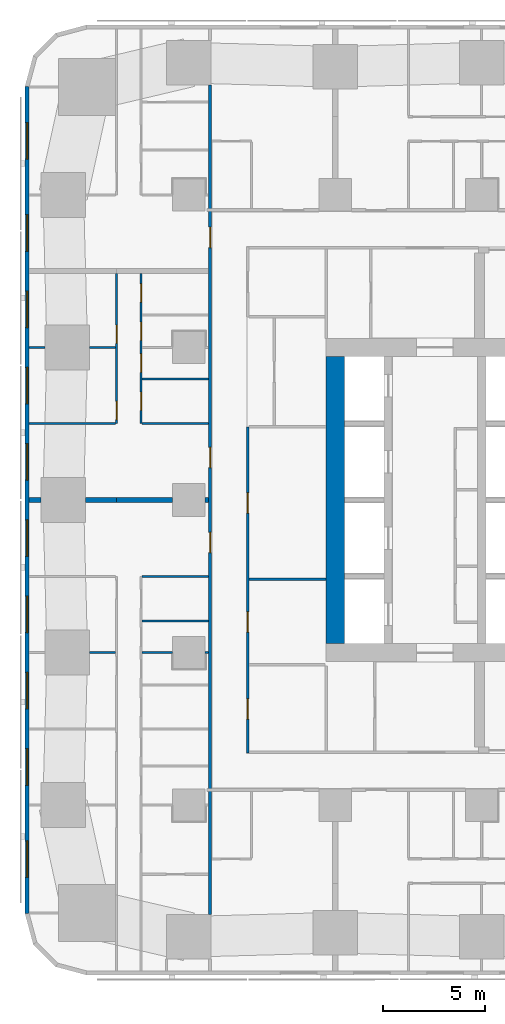
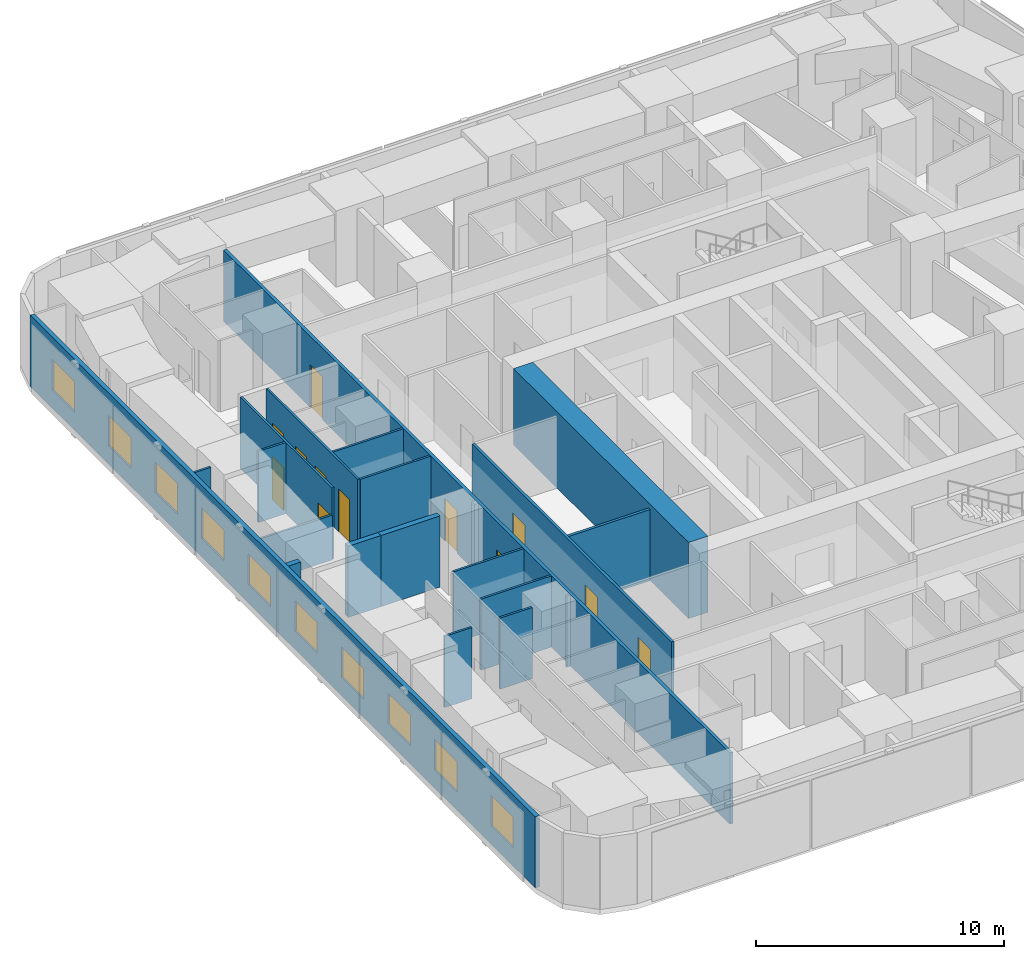
# One storey, part 4 of 15: 21 walls, 12 doors, 10 windows, 22 openings.
"""IFC4 building model written with IfcOpenShell, lengths in metres."""

from ifc_helpers import new_model, si_unit, direction, frame, frame_2d, origin, place, context, subcontext, project, spatial, rectangle, extrude, material, layer, layer_set, type_object, element, fill, save


model = new_model("IFC4")

# Units and contexts
model_context = context("Model", 3, precision=1e-05, world=origin(), true_north=direction((0.0, 1.0)))
body_context = subcontext(model_context, "Body", "Model", "MODEL_VIEW")
ifc_project = project(units=[si_unit("LENGTHUNIT", "METRE"), si_unit("AREAUNIT", "SQUARE_METRE"), si_unit("VOLUMEUNIT", "CUBIC_METRE"), si_unit("PLANEANGLEUNIT", "RADIAN"), si_unit("MASSUNIT", "GRAM", prefix="KILO")], contexts=[model_context])

# Site, building, storey
site_placement = place(None, origin())
site = spatial("IfcSite", under=ifc_project, at=site_placement, CompositionType="ELEMENT")
building_placement = place(site_placement, origin())
building = spatial("IfcBuilding", under=site, at=building_placement, Name="Sheger Commons Tower", CompositionType="ELEMENT")
storey_placement = place(building_placement, frame((0.0, 0.0, 85.39990234375)))
storey = spatial("IfcBuildingStorey", under=building, at=storey_placement, Name="L21", CompositionType="ELEMENT", Elevation=85.39990234375)

# Wall
ifc_material_1 = material(Name="Concrete C50/60", Category="concrete")
ifc_layer_1 = layer(ifc_material_1, 0.89990234375)
ifc_layer_set_1 = layer_set([ifc_layer_1], Name="CORE WALL 900")
wall_type_1 = type_object("IfcWallType", Name="CORE WALL 900", PredefinedType="SHEAR", material=ifc_layer_set_1)
wall_1_placement = place(storey_placement, frame((14.39990234375, 15.449951171875, 0.0), z_axis=(0.0, 0.0, 1.0), x_axis=(0.0, 1.0, 0.0)))
element("IfcWall", 1, at=wall_1_placement, inside=storey, type_object=wall_type_1, Name="Core wall west L21", PredefinedType="SHEAR", context=body_context, shape_type="SweptSolid", body=[
    extrude(rectangle(XDim=14.10009765625, YDim=0.89990234375, at=frame_2d((7.050048828125, 0.0))), origin(), (0.0, 0.0, 1.0), 3.75),
])

# Wall, openings, doors
ifc_material_2 = material(Name="Hollow concrete block masonry, skimmed both sides", Category="masonry")
ifc_layer_2 = layer(ifc_material_2, 0.14990234375)
ifc_layer_set_2 = layer_set([ifc_layer_2], Name="CORRIDOR WALL 150")
wall_type_2 = type_object("IfcWallType", Name="CORRIDOR WALL 150", PredefinedType="SOLIDWALL", material=ifc_layer_set_2)
wall_2_placement = place(storey_placement, frame((8.25, 2.1259765625, 0.0), z_axis=(0.0, 0.0, 1.0), x_axis=(0.0, 1.0, 0.0)))
wall_2 = element("IfcWall", 2, at=wall_2_placement, inside=storey, type_object=wall_type_2, Name="Corridor wall L21", PredefinedType="SOLIDWALL", context=body_context, shape_type="SweptSolid", body=[
    extrude(rectangle(XDim=40.77294921875, YDim=0.14990234375, at=frame_2d((20.386474609375, 0.0))), origin(), (0.0, 0.0, 1.0), 3.5),
])
opening_1_placement = place(wall_2_placement, frame((17.787109375, 0.0, 0.0)))
opening_1 = element("IfcOpeningElement", 3, at=opening_1_placement, cuts=wall_2, Name="Opening D1", PredefinedType="OPENING", context=body_context, shape_type="SweptSolid", body=[
    extrude(rectangle(XDim=1.0, YDim=2.10009765625, at=frame_2d((0.5, 1.050048828125))), frame((0.0, 0.0849609375, 0.0), z_axis=(0.0, -1.0, 0.0), x_axis=(1.0, 0.0, 0.0)), (0.0, 0.0, 1.0), 0.169921875),
])
opening_2_placement = place(wall_2_placement, frame((21.9619140625, 0.0, 0.0)))
opening_2 = element("IfcOpeningElement", 4, at=opening_2_placement, cuts=wall_2, Name="Opening D1", PredefinedType="OPENING", context=body_context, shape_type="SweptSolid", body=[
    extrude(rectangle(XDim=1.0, YDim=2.10009765625, at=frame_2d((0.5, 1.050048828125))), frame((0.0, 0.0849609375, 0.0), z_axis=(0.0, -1.0, 0.0), x_axis=(1.0, 0.0, 0.0)), (0.0, 0.0, 1.0), 0.169921875),
])
opening_3_placement = place(wall_2_placement, frame((32.787109375, 0.0, 0.0)))
opening_3 = element("IfcOpeningElement", 5, at=opening_3_placement, cuts=wall_2, Name="Opening D1", PredefinedType="OPENING", context=body_context, shape_type="SweptSolid", body=[
    extrude(rectangle(XDim=1.0, YDim=2.10009765625, at=frame_2d((0.5, 1.050048828125))), frame((0.0, 0.0849609375, 0.0), z_axis=(0.0, -1.0, 0.0), x_axis=(1.0, 0.0, 0.0)), (0.0, 0.0, 1.0), 0.169921875),
])
ifc_material_3 = material(Name="Steel door set, fire rated", Category="steel")
door_type_1 = type_object("IfcDoorType", Name="FLAT ENTRANCE DOOR 1000x2100", OperationType="NOTDEFINED", PredefinedType="DOOR", material=ifc_material_3)
door_1_placement = place(opening_1_placement, origin())
door_1 = element("IfcDoor", 6, at=door_1_placement, inside=storey, type_object=door_type_1, Name="Flat entrance door", OperationType="SINGLE_SWING_LEFT", OverallHeight=2.10009765625, OverallWidth=1.0, PredefinedType="DOOR", context=body_context, shape_type="SweptSolid", body=[
    extrude(rectangle(XDim=1.0, YDim=2.10009765625, at=frame_2d((0.5, 1.050048828125))), frame((0.0, 0.02490234375, 0.0), z_axis=(0.0, -1.0, 0.0), x_axis=(1.0, 0.0, 0.0)), (0.0, 0.0, 1.0), 0.050048828125),
])
fill(opening_1, door_1)
door_2_placement = place(opening_2_placement, origin())
door_2 = element("IfcDoor", 7, at=door_2_placement, inside=storey, type_object=door_type_1, Name="Flat entrance door", OperationType="SINGLE_SWING_RIGHT", OverallHeight=2.10009765625, OverallWidth=1.0, PredefinedType="DOOR", context=body_context, shape_type="SweptSolid", body=[
    extrude(rectangle(XDim=1.0, YDim=2.10009765625, at=frame_2d((0.5, 1.050048828125))), frame((0.0, 0.02490234375, 0.0), z_axis=(0.0, -1.0, 0.0), x_axis=(1.0, 0.0, 0.0)), (0.0, 0.0, 1.0), 0.050048828125),
])
fill(opening_2, door_2)
door_3_placement = place(opening_3_placement, origin())
door_3 = element("IfcDoor", 8, at=door_3_placement, inside=storey, type_object=door_type_1, Name="Flat entrance door", OperationType="SINGLE_SWING_LEFT", OverallHeight=2.10009765625, OverallWidth=1.0, PredefinedType="DOOR", context=body_context, shape_type="SweptSolid", body=[
    extrude(rectangle(XDim=1.0, YDim=2.10009765625, at=frame_2d((0.5, 1.050048828125))), frame((0.0, 0.02490234375, 0.0), z_axis=(0.0, -1.0, 0.0), x_axis=(1.0, 0.0, 0.0)), (0.0, 0.0, 1.0), 0.050048828125),
])
fill(opening_3, door_3)

# Walls
ifc_material_4 = material(Name="Dense concrete block masonry, plastered both sides (separating wall between flats)", Category="masonry")
ifc_layer_3 = layer(ifc_material_4, 0.25)
ifc_layer_set_3 = layer_set([ifc_layer_3], Name="DEMISING WALL 250")
wall_type_3 = type_object("IfcWallType", Name="DEMISING WALL 250", PredefinedType="SOLIDWALL", material=ifc_layer_set_3)
wall_3_placement = place(storey_placement, frame((-0.64990234375, 22.5, 0.0), z_axis=(0.0, 0.0, 1.0), x_axis=(1.0, 0.0, 0.0)))
element("IfcWall", 9, at=wall_3_placement, inside=storey, type_object=wall_type_3, Name="Demising wall L21", PredefinedType="SOLIDWALL", context=body_context, shape_type="SweptSolid", body=[
    extrude(rectangle(XDim=0.573974609375, YDim=0.25, at=frame_2d((0.287109375, 0.0))), origin(), (0.0, 0.0, 1.0), 3.5),
])
wall_4_placement = place(storey_placement, frame((2.1259765625, 22.5, 0.0), z_axis=(0.0, 0.0, 1.0), x_axis=(1.0, 0.0, 0.0)))
element("IfcWall", 10, at=wall_4_placement, inside=storey, type_object=wall_type_3, Name="Demising wall L21", PredefinedType="SOLIDWALL", context=body_context, shape_type="SweptSolid", body=[
    extrude(rectangle(XDim=1.52392578125, YDim=0.25, at=frame_2d((0.761962890625, 0.0))), origin(), (0.0, 0.0, 1.0), 3.5),
])
wall_5_placement = place(storey_placement, frame((3.64990234375, 22.5, 0.0), z_axis=(0.0, 0.0, 1.0), x_axis=(1.0, 0.0, 0.0)))
element("IfcWall", 11, at=wall_5_placement, inside=storey, type_object=wall_type_3, Name="Demising wall L21", PredefinedType="SOLIDWALL", context=body_context, shape_type="SweptSolid", body=[
    extrude(rectangle(XDim=2.7490234375, YDim=0.25, at=frame_2d((1.37451171875, 0.0))), origin(), (0.0, 0.0, 1.0), 3.5),
])
wall_6_placement = place(storey_placement, frame((8.0009765625, 22.5, 0.0), z_axis=(0.0, 0.0, 1.0), x_axis=(1.0, 0.0, 0.0)))
element("IfcWall", 12, at=wall_6_placement, inside=storey, type_object=wall_type_3, Name="Demising wall L21", PredefinedType="SOLIDWALL", context=body_context, shape_type="SweptSolid", body=[
    extrude(rectangle(XDim=0.174072265625, YDim=0.25, at=frame_2d((0.0869140625, 0.0))), origin(), (0.0, 0.0, 1.0), 3.5),
])

# Wall, openings, windows
ifc_material_5 = material(Name="Rendered concrete block masonry, dark grey", Category="masonry")
ifc_layer_4 = layer(ifc_material_5, 0.199951171875)
ifc_layer_set_4 = layer_set([ifc_layer_4], Name="FACADE WALL 200")
wall_type_4 = type_object("IfcWallType", Name="FACADE WALL 200", PredefinedType="SOLIDWALL", material=ifc_layer_set_4)
wall_7_placement = place(storey_placement, frame((-0.75, 42.8369140625, 0.0), z_axis=(0.0, 0.0, 1.0), x_axis=(0.0, -1.0, 0.0)))
wall_7 = element("IfcWall", 13, at=wall_7_placement, inside=storey, type_object=wall_type_4, Name="Facade wall L21", PredefinedType="SOLIDWALL", context=body_context, shape_type="SweptSolid", body=[
    extrude(rectangle(XDim=40.673828125, YDim=0.199951171875, at=frame_2d((20.3369140625, 0.0))), origin(), (0.0, 0.0, 1.0), 3.5),
])
opening_4_placement = place(wall_7_placement, frame((1.780029296875, 0.0, 0.89990234375)))
opening_4 = element("IfcOpeningElement", 14, at=opening_4_placement, cuts=wall_7, Name="Opening W2", PredefinedType="OPENING", context=body_context, shape_type="SweptSolid", body=[
    extrude(rectangle(XDim=1.800048828125, YDim=1.5, at=frame_2d((0.89990234375, 0.75))), frame((0.0, 0.10986328125, 0.0), z_axis=(0.0, -1.0, 0.0), x_axis=(1.0, 0.0, 0.0)), (0.0, 0.0, 1.0), 0.219970703125),
])
opening_5_placement = place(wall_7_placement, frame((6.31201171875, 0.0, 0.89990234375)))
opening_5 = element("IfcOpeningElement", 15, at=opening_5_placement, cuts=wall_7, Name="Opening W2", PredefinedType="OPENING", context=body_context, shape_type="SweptSolid", body=[
    extrude(rectangle(XDim=1.800048828125, YDim=1.5, at=frame_2d((0.89990234375, 0.75))), frame((0.0, 0.10986328125, 0.0), z_axis=(0.0, -1.0, 0.0), x_axis=(1.0, 0.0, 0.0)), (0.0, 0.0, 1.0), 0.219970703125),
])
opening_6_placement = place(wall_7_placement, frame((10.06201171875, 0.0, 0.89990234375)))
opening_6 = element("IfcOpeningElement", 16, at=opening_6_placement, cuts=wall_7, Name="Opening W2", PredefinedType="OPENING", context=body_context, shape_type="SweptSolid", body=[
    extrude(rectangle(XDim=1.800048828125, YDim=1.5, at=frame_2d((0.89990234375, 0.75))), frame((0.0, 0.10986328125, 0.0), z_axis=(0.0, -1.0, 0.0), x_axis=(1.0, 0.0, 0.0)), (0.0, 0.0, 1.0), 0.219970703125),
])
opening_7_placement = place(wall_7_placement, frame((13.81201171875, 0.0, 0.89990234375)))
opening_7 = element("IfcOpeningElement", 17, at=opening_7_placement, cuts=wall_7, Name="Opening W2", PredefinedType="OPENING", context=body_context, shape_type="SweptSolid", body=[
    extrude(rectangle(XDim=1.800048828125, YDim=1.5, at=frame_2d((0.89990234375, 0.75))), frame((0.0, 0.10986328125, 0.0), z_axis=(0.0, -1.0, 0.0), x_axis=(1.0, 0.0, 0.0)), (0.0, 0.0, 1.0), 0.219970703125),
])
opening_8_placement = place(wall_7_placement, frame((17.56201171875, 0.0, 0.89990234375)))
opening_8 = element("IfcOpeningElement", 18, at=opening_8_placement, cuts=wall_7, Name="Opening W2", PredefinedType="OPENING", context=body_context, shape_type="SweptSolid", body=[
    extrude(rectangle(XDim=1.800048828125, YDim=1.5, at=frame_2d((0.89990234375, 0.75))), frame((0.0, 0.10986328125, 0.0), z_axis=(0.0, -1.0, 0.0), x_axis=(1.0, 0.0, 0.0)), (0.0, 0.0, 1.0), 0.219970703125),
])
opening_9_placement = place(wall_7_placement, frame((21.31201171875, 0.0, 0.89990234375)))
opening_9 = element("IfcOpeningElement", 19, at=opening_9_placement, cuts=wall_7, Name="Opening W2", PredefinedType="OPENING", context=body_context, shape_type="SweptSolid", body=[
    extrude(rectangle(XDim=1.800048828125, YDim=1.5, at=frame_2d((0.89990234375, 0.75))), frame((0.0, 0.10986328125, 0.0), z_axis=(0.0, -1.0, 0.0), x_axis=(1.0, 0.0, 0.0)), (0.0, 0.0, 1.0), 0.219970703125),
])
opening_10_placement = place(wall_7_placement, frame((25.06201171875, 0.0, 0.89990234375)))
opening_10 = element("IfcOpeningElement", 20, at=opening_10_placement, cuts=wall_7, Name="Opening W2", PredefinedType="OPENING", context=body_context, shape_type="SweptSolid", body=[
    extrude(rectangle(XDim=1.800048828125, YDim=1.5, at=frame_2d((0.89990234375, 0.75))), frame((0.0, 0.10986328125, 0.0), z_axis=(0.0, -1.0, 0.0), x_axis=(1.0, 0.0, 0.0)), (0.0, 0.0, 1.0), 0.219970703125),
])
opening_11_placement = place(wall_7_placement, frame((28.81201171875, 0.0, 0.89990234375)))
opening_11 = element("IfcOpeningElement", 21, at=opening_11_placement, cuts=wall_7, Name="Opening W2", PredefinedType="OPENING", context=body_context, shape_type="SweptSolid", body=[
    extrude(rectangle(XDim=1.800048828125, YDim=1.5, at=frame_2d((0.89990234375, 0.75))), frame((0.0, 0.10986328125, 0.0), z_axis=(0.0, -1.0, 0.0), x_axis=(1.0, 0.0, 0.0)), (0.0, 0.0, 1.0), 0.219970703125),
])
opening_12_placement = place(wall_7_placement, frame((32.56201171875, 0.0, 0.89990234375)))
opening_12 = element("IfcOpeningElement", 22, at=opening_12_placement, cuts=wall_7, Name="Opening W2", PredefinedType="OPENING", context=body_context, shape_type="SweptSolid", body=[
    extrude(rectangle(XDim=1.800048828125, YDim=1.5, at=frame_2d((0.89990234375, 0.75))), frame((0.0, 0.10986328125, 0.0), z_axis=(0.0, -1.0, 0.0), x_axis=(1.0, 0.0, 0.0)), (0.0, 0.0, 1.0), 0.219970703125),
])
opening_13_placement = place(wall_7_placement, frame((37.093994140625, 0.0, 0.89990234375)))
opening_13 = element("IfcOpeningElement", 23, at=opening_13_placement, cuts=wall_7, Name="Opening W2", PredefinedType="OPENING", context=body_context, shape_type="SweptSolid", body=[
    extrude(rectangle(XDim=1.800048828125, YDim=1.5, at=frame_2d((0.89990234375, 0.75))), frame((0.0, 0.10986328125, 0.0), z_axis=(0.0, -1.0, 0.0), x_axis=(1.0, 0.0, 0.0)), (0.0, 0.0, 1.0), 0.219970703125),
])
ifc_material_6 = material(Name="Black aluminium frame, dark tinted double glazing", Category="aluminium")
window_type = type_object("IfcWindowType", Name="WINDOW W2 1800x1500", PartitioningType="SINGLE_PANEL", PredefinedType="WINDOW", material=ifc_material_6)
window_1_placement = place(opening_4_placement, origin())
window_1 = element("IfcWindow", 24, at=window_1_placement, inside=storey, type_object=window_type, Name="Window W2 1800X1500", OverallHeight=1.5, OverallWidth=1.800048828125, PartitioningType="SINGLE_PANEL", PredefinedType="WINDOW", context=body_context, shape_type="SweptSolid", body=[
    extrude(rectangle(XDim=1.800048828125, YDim=1.5, at=frame_2d((0.89990234375, 0.75))), frame((0.0, 0.030029296875, 0.0), z_axis=(0.0, -1.0, 0.0), x_axis=(1.0, 0.0, 0.0)), (0.0, 0.0, 1.0), 0.06005859375),
])
fill(opening_4, window_1)
window_2_placement = place(opening_5_placement, origin())
window_2 = element("IfcWindow", 25, at=window_2_placement, inside=storey, type_object=window_type, Name="Window W2 1800X1500", OverallHeight=1.5, OverallWidth=1.800048828125, PartitioningType="SINGLE_PANEL", PredefinedType="WINDOW", context=body_context, shape_type="SweptSolid", body=[
    extrude(rectangle(XDim=1.800048828125, YDim=1.5, at=frame_2d((0.89990234375, 0.75))), frame((0.0, 0.030029296875, 0.0), z_axis=(0.0, -1.0, 0.0), x_axis=(1.0, 0.0, 0.0)), (0.0, 0.0, 1.0), 0.06005859375),
])
fill(opening_5, window_2)
window_3_placement = place(opening_6_placement, origin())
window_3 = element("IfcWindow", 26, at=window_3_placement, inside=storey, type_object=window_type, Name="Window W2 1800X1500", OverallHeight=1.5, OverallWidth=1.800048828125, PartitioningType="SINGLE_PANEL", PredefinedType="WINDOW", context=body_context, shape_type="SweptSolid", body=[
    extrude(rectangle(XDim=1.800048828125, YDim=1.5, at=frame_2d((0.89990234375, 0.75))), frame((0.0, 0.030029296875, 0.0), z_axis=(0.0, -1.0, 0.0), x_axis=(1.0, 0.0, 0.0)), (0.0, 0.0, 1.0), 0.06005859375),
])
fill(opening_6, window_3)
window_4_placement = place(opening_7_placement, origin())
window_4 = element("IfcWindow", 27, at=window_4_placement, inside=storey, type_object=window_type, Name="Window W2 1800X1500", OverallHeight=1.5, OverallWidth=1.800048828125, PartitioningType="SINGLE_PANEL", PredefinedType="WINDOW", context=body_context, shape_type="SweptSolid", body=[
    extrude(rectangle(XDim=1.800048828125, YDim=1.5, at=frame_2d((0.89990234375, 0.75))), frame((0.0, 0.030029296875, 0.0), z_axis=(0.0, -1.0, 0.0), x_axis=(1.0, 0.0, 0.0)), (0.0, 0.0, 1.0), 0.06005859375),
])
fill(opening_7, window_4)
window_5_placement = place(opening_8_placement, origin())
window_5 = element("IfcWindow", 28, at=window_5_placement, inside=storey, type_object=window_type, Name="Window W2 1800X1500", OverallHeight=1.5, OverallWidth=1.800048828125, PartitioningType="SINGLE_PANEL", PredefinedType="WINDOW", context=body_context, shape_type="SweptSolid", body=[
    extrude(rectangle(XDim=1.800048828125, YDim=1.5, at=frame_2d((0.89990234375, 0.75))), frame((0.0, 0.030029296875, 0.0), z_axis=(0.0, -1.0, 0.0), x_axis=(1.0, 0.0, 0.0)), (0.0, 0.0, 1.0), 0.06005859375),
])
fill(opening_8, window_5)
window_6_placement = place(opening_9_placement, origin())
window_6 = element("IfcWindow", 29, at=window_6_placement, inside=storey, type_object=window_type, Name="Window W2 1800X1500", OverallHeight=1.5, OverallWidth=1.800048828125, PartitioningType="SINGLE_PANEL", PredefinedType="WINDOW", context=body_context, shape_type="SweptSolid", body=[
    extrude(rectangle(XDim=1.800048828125, YDim=1.5, at=frame_2d((0.89990234375, 0.75))), frame((0.0, 0.030029296875, 0.0), z_axis=(0.0, -1.0, 0.0), x_axis=(1.0, 0.0, 0.0)), (0.0, 0.0, 1.0), 0.06005859375),
])
fill(opening_9, window_6)
window_7_placement = place(opening_10_placement, origin())
window_7 = element("IfcWindow", 30, at=window_7_placement, inside=storey, type_object=window_type, Name="Window W2 1800X1500", OverallHeight=1.5, OverallWidth=1.800048828125, PartitioningType="SINGLE_PANEL", PredefinedType="WINDOW", context=body_context, shape_type="SweptSolid", body=[
    extrude(rectangle(XDim=1.800048828125, YDim=1.5, at=frame_2d((0.89990234375, 0.75))), frame((0.0, 0.030029296875, 0.0), z_axis=(0.0, -1.0, 0.0), x_axis=(1.0, 0.0, 0.0)), (0.0, 0.0, 1.0), 0.06005859375),
])
fill(opening_10, window_7)
window_8_placement = place(opening_11_placement, origin())
window_8 = element("IfcWindow", 31, at=window_8_placement, inside=storey, type_object=window_type, Name="Window W2 1800X1500", OverallHeight=1.5, OverallWidth=1.800048828125, PartitioningType="SINGLE_PANEL", PredefinedType="WINDOW", context=body_context, shape_type="SweptSolid", body=[
    extrude(rectangle(XDim=1.800048828125, YDim=1.5, at=frame_2d((0.89990234375, 0.75))), frame((0.0, 0.030029296875, 0.0), z_axis=(0.0, -1.0, 0.0), x_axis=(1.0, 0.0, 0.0)), (0.0, 0.0, 1.0), 0.06005859375),
])
fill(opening_11, window_8)
window_9_placement = place(opening_12_placement, origin())
window_9 = element("IfcWindow", 32, at=window_9_placement, inside=storey, type_object=window_type, Name="Window W2 1800X1500", OverallHeight=1.5, OverallWidth=1.800048828125, PartitioningType="SINGLE_PANEL", PredefinedType="WINDOW", context=body_context, shape_type="SweptSolid", body=[
    extrude(rectangle(XDim=1.800048828125, YDim=1.5, at=frame_2d((0.89990234375, 0.75))), frame((0.0, 0.030029296875, 0.0), z_axis=(0.0, -1.0, 0.0), x_axis=(1.0, 0.0, 0.0)), (0.0, 0.0, 1.0), 0.06005859375),
])
fill(opening_12, window_9)
window_10_placement = place(opening_13_placement, origin())
window_10 = element("IfcWindow", 33, at=window_10_placement, inside=storey, type_object=window_type, Name="Window W2 1800X1500", OverallHeight=1.5, OverallWidth=1.800048828125, PartitioningType="SINGLE_PANEL", PredefinedType="WINDOW", context=body_context, shape_type="SweptSolid", body=[
    extrude(rectangle(XDim=1.800048828125, YDim=1.5, at=frame_2d((0.89990234375, 0.75))), frame((0.0, 0.030029296875, 0.0), z_axis=(0.0, -1.0, 0.0), x_axis=(1.0, 0.0, 0.0)), (0.0, 0.0, 1.0), 0.06005859375),
])
fill(opening_13, window_10)

# Walls
ifc_material_7 = material(Name="Gypsum board on steel studs", Category="steel")
ifc_layer_5 = layer(ifc_material_7, 0.10009765625)
ifc_layer_set_5 = layer_set([ifc_layer_5], Name="PARTITION 100")
wall_type_5 = type_object("IfcWallType", Name="PARTITION 100", PredefinedType="PARTITIONING", material=ifc_layer_set_5)
wall_8_placement = place(storey_placement, frame((2.325927734375, 15.0, 0.0), z_axis=(0.0, 0.0, 1.0), x_axis=(1.0, 0.0, 0.0)))
element("IfcWall", 34, at=wall_8_placement, inside=storey, type_object=wall_type_5, Name="Partition L21", PredefinedType="PARTITIONING", context=body_context, shape_type="SweptSolid", body=[
    extrude(rectangle(XDim=1.274169921875, YDim=0.10009765625, at=frame_2d((0.63720703125, 0.0))), origin(), (0.0, 0.0, 1.0), 3.5),
])
wall_9_placement = place(storey_placement, frame((4.89990234375, 15.0, 0.0), z_axis=(0.0, 0.0, 1.0), x_axis=(1.0, 0.0, 0.0)))
element("IfcWall", 35, at=wall_9_placement, inside=storey, type_object=wall_type_5, Name="Partition L21", PredefinedType="PARTITIONING", context=body_context, shape_type="SweptSolid", body=[
    extrude(rectangle(XDim=1.4990234375, YDim=0.10009765625, at=frame_2d((0.74951171875, 0.0))), origin(), (0.0, 0.0, 1.0), 3.5),
])
wall_10_placement = place(storey_placement, frame((8.0009765625, 15.0, 0.0), z_axis=(0.0, 0.0, 1.0), x_axis=(1.0, 0.0, 0.0)))
element("IfcWall", 36, at=wall_10_placement, inside=storey, type_object=wall_type_5, Name="Partition L21", PredefinedType="PARTITIONING", context=body_context, shape_type="SweptSolid", body=[
    extrude(rectangle(XDim=0.174072265625, YDim=0.10009765625, at=frame_2d((0.0869140625, 0.0))), origin(), (0.0, 0.0, 1.0), 3.5),
])
for number, where, z_axis, x_axis, name in (
    (37, (4.89990234375, 18.75, 0.0), (0.0, 0.0, 1.0), (1.0, 0.0, 0.0), "Partition L21"),
    (38, (4.89990234375, 16.5400390625, 0.0), (0.0, 0.0, 1.0), (1.0, 0.0, 0.0), "Partition L21"),
):
    element("IfcWall", number, at=place(storey_placement, frame(where, z_axis=z_axis, x_axis=x_axis)), inside=storey, type_object=wall_type_5, Name=name, PredefinedType="PARTITIONING", context=body_context, shape_type="SweptSolid", body=[
        extrude(rectangle(XDim=3.275146484375, YDim=0.10009765625, at=frame_2d((1.6376953125, 0.0))), origin(), (0.0, 0.0, 1.0), 3.5),
    ])

# Wall, openings, doors
wall_11_placement = place(storey_placement, frame((3.64990234375, 26.25, 0.0), z_axis=(0.0, 0.0, 1.0), x_axis=(0.0, 1.0, 0.0)))
wall_11 = element("IfcWall", 39, at=wall_11_placement, inside=storey, type_object=wall_type_5, Name="Partition L21", PredefinedType="PARTITIONING", context=body_context, shape_type="SweptSolid", body=[
    extrude(rectangle(XDim=7.375, YDim=0.10009765625, at=frame_2d((3.6875, 0.0))), origin(), (0.0, 0.0, 1.0), 3.5),
])
opening_14_placement = place(wall_11_placement, frame((0.199951171875, 0.0, 0.0)))
opening_14 = element("IfcOpeningElement", 40, at=opening_14_placement, cuts=wall_11, Name="Opening D2", PredefinedType="OPENING", context=body_context, shape_type="SweptSolid", body=[
    extrude(rectangle(XDim=0.89990234375, YDim=2.10009765625, at=frame_2d((0.449951171875, 1.050048828125))), frame((0.0, 0.06005859375, 0.0), z_axis=(0.0, -1.0, 0.0), x_axis=(1.0, 0.0, 0.0)), (0.0, 0.0, 1.0), 0.1201171875),
])
opening_15_placement = place(wall_11_placement, frame((3.949951171875, 0.0, 0.0)))
opening_15 = element("IfcOpeningElement", 41, at=opening_15_placement, cuts=wall_11, Name="Opening D2", PredefinedType="OPENING", context=body_context, shape_type="SweptSolid", body=[
    extrude(rectangle(XDim=0.89990234375, YDim=2.10009765625, at=frame_2d((0.449951171875, 1.050048828125))), frame((0.0, 0.06005859375, 0.0), z_axis=(0.0, -1.0, 0.0), x_axis=(1.0, 0.0, 0.0)), (0.0, 0.0, 1.0), 0.1201171875),
])
ifc_material_8 = material(Name="Timber door set", Category="wood")
door_type_2 = type_object("IfcDoorType", Name="INTERNAL DOOR 900x2100", OperationType="NOTDEFINED", PredefinedType="DOOR", material=ifc_material_8)
door_4_placement = place(opening_14_placement, origin())
door_4 = element("IfcDoor", 42, at=door_4_placement, inside=storey, type_object=door_type_2, Name="Main bedroom door", OperationType="SINGLE_SWING_LEFT", OverallHeight=2.10009765625, OverallWidth=0.89990234375, PredefinedType="DOOR", context=body_context, shape_type="SweptSolid", body=[
    extrude(rectangle(XDim=0.89990234375, YDim=2.10009765625, at=frame_2d((0.449951171875, 1.050048828125))), frame((0.0, 0.02490234375, 0.0), z_axis=(0.0, -1.0, 0.0), x_axis=(1.0, 0.0, 0.0)), (0.0, 0.0, 1.0), 0.050048828125),
])
fill(opening_14, door_4)
door_5_placement = place(opening_15_placement, origin())
door_5 = element("IfcDoor", 43, at=door_5_placement, inside=storey, type_object=door_type_2, Name="Bedroom 2 door", OperationType="SINGLE_SWING_LEFT", OverallHeight=2.10009765625, OverallWidth=0.89990234375, PredefinedType="DOOR", context=body_context, shape_type="SweptSolid", body=[
    extrude(rectangle(XDim=0.89990234375, YDim=2.10009765625, at=frame_2d((0.449951171875, 1.050048828125))), frame((0.0, 0.02490234375, 0.0), z_axis=(0.0, -1.0, 0.0), x_axis=(1.0, 0.0, 0.0)), (0.0, 0.0, 1.0), 0.050048828125),
])
fill(opening_15, door_5)

wall_12_placement = place(storey_placement, frame((4.85009765625, 26.25, 0.0), z_axis=(0.0, 0.0, 1.0), x_axis=(0.0, 1.0, 0.0)))
wall_12 = element("IfcWall", 44, at=wall_12_placement, inside=storey, type_object=wall_type_5, Name="Partition L21", PredefinedType="PARTITIONING", context=body_context, shape_type="SweptSolid", body=[
    extrude(rectangle(XDim=7.375, YDim=0.10009765625, at=frame_2d((3.6875, 0.0))), origin(), (0.0, 0.0, 1.0), 3.5),
])
opening_16_placement = place(wall_12_placement, frame((0.655029296875, 0.0, 0.0)))
opening_16 = element("IfcOpeningElement", 45, at=opening_16_placement, cuts=wall_12, Name="Opening D2", PredefinedType="OPENING", context=body_context, shape_type="SweptSolid", body=[
    extrude(rectangle(XDim=0.89990234375, YDim=2.10009765625, at=frame_2d((0.449951171875, 1.050048828125))), frame((0.0, 0.06005859375, 0.0), z_axis=(0.0, -1.0, 0.0), x_axis=(1.0, 0.0, 0.0)), (0.0, 0.0, 1.0), 0.1201171875),
])
opening_17_placement = place(wall_12_placement, frame((4.10009765625, 0.0, 0.0)))
opening_17 = element("IfcOpeningElement", 46, at=opening_17_placement, cuts=wall_12, Name="Opening D2", PredefinedType="OPENING", context=body_context, shape_type="SweptSolid", body=[
    extrude(rectangle(XDim=0.89990234375, YDim=2.10009765625, at=frame_2d((0.449951171875, 1.050048828125))), frame((0.0, 0.06005859375, 0.0), z_axis=(0.0, -1.0, 0.0), x_axis=(1.0, 0.0, 0.0)), (0.0, 0.0, 1.0), 0.1201171875),
])
opening_18_placement = place(wall_12_placement, frame((2.530029296875, 0.0, 0.0)))
opening_18 = element("IfcOpeningElement", 47, at=opening_18_placement, cuts=wall_12, Name="Opening D2", PredefinedType="OPENING", context=body_context, shape_type="SweptSolid", body=[
    extrude(rectangle(XDim=0.89990234375, YDim=2.10009765625, at=frame_2d((0.449951171875, 1.050048828125))), frame((0.0, 0.06005859375, 0.0), z_axis=(0.0, -1.0, 0.0), x_axis=(1.0, 0.0, 0.0)), (0.0, 0.0, 1.0), 0.1201171875),
])
opening_19_placement = place(wall_12_placement, frame((5.97509765625, 0.0, 0.0)))
opening_19 = element("IfcOpeningElement", 48, at=opening_19_placement, cuts=wall_12, Name="Opening D2", PredefinedType="OPENING", context=body_context, shape_type="SweptSolid", body=[
    extrude(rectangle(XDim=0.89990234375, YDim=2.10009765625, at=frame_2d((0.449951171875, 1.050048828125))), frame((0.0, 0.06005859375, 0.0), z_axis=(0.0, -1.0, 0.0), x_axis=(1.0, 0.0, 0.0)), (0.0, 0.0, 1.0), 0.1201171875),
])
door_6_placement = place(opening_16_placement, origin())
door_6 = element("IfcDoor", 49, at=door_6_placement, inside=storey, type_object=door_type_2, Name="Bathroom door", OperationType="SINGLE_SWING_RIGHT", OverallHeight=2.10009765625, OverallWidth=0.89990234375, PredefinedType="DOOR", context=body_context, shape_type="SweptSolid", body=[
    extrude(rectangle(XDim=0.89990234375, YDim=2.10009765625, at=frame_2d((0.449951171875, 1.050048828125))), frame((0.0, 0.02490234375, 0.0), z_axis=(0.0, -1.0, 0.0), x_axis=(1.0, 0.0, 0.0)), (0.0, 0.0, 1.0), 0.050048828125),
])
fill(opening_16, door_6)
door_7_placement = place(opening_17_placement, origin())
door_7 = element("IfcDoor", 50, at=door_7_placement, inside=storey, type_object=door_type_2, Name="Shower room door", OperationType="SINGLE_SWING_RIGHT", OverallHeight=2.10009765625, OverallWidth=0.89990234375, PredefinedType="DOOR", context=body_context, shape_type="SweptSolid", body=[
    extrude(rectangle(XDim=0.89990234375, YDim=2.10009765625, at=frame_2d((0.449951171875, 1.050048828125))), frame((0.0, 0.02490234375, 0.0), z_axis=(0.0, -1.0, 0.0), x_axis=(1.0, 0.0, 0.0)), (0.0, 0.0, 1.0), 0.050048828125),
])
fill(opening_17, door_7)
door_8_placement = place(opening_18_placement, origin())
door_8 = element("IfcDoor", 51, at=door_8_placement, inside=storey, type_object=door_type_2, Name="Store door", OperationType="SINGLE_SWING_RIGHT", OverallHeight=2.10009765625, OverallWidth=0.89990234375, PredefinedType="DOOR", context=body_context, shape_type="SweptSolid", body=[
    extrude(rectangle(XDim=0.89990234375, YDim=2.10009765625, at=frame_2d((0.449951171875, 1.050048828125))), frame((0.0, 0.02490234375, 0.0), z_axis=(0.0, -1.0, 0.0), x_axis=(1.0, 0.0, 0.0)), (0.0, 0.0, 1.0), 0.050048828125),
])
fill(opening_18, door_8)
door_9_placement = place(opening_19_placement, origin())
door_9 = element("IfcDoor", 52, at=door_9_placement, inside=storey, type_object=door_type_2, Name="Store door", OperationType="SINGLE_SWING_LEFT", OverallHeight=2.10009765625, OverallWidth=0.89990234375, PredefinedType="DOOR", context=body_context, shape_type="SweptSolid", body=[
    extrude(rectangle(XDim=0.89990234375, YDim=2.10009765625, at=frame_2d((0.449951171875, 1.050048828125))), frame((0.0, 0.02490234375, 0.0), z_axis=(0.0, -1.0, 0.0), x_axis=(1.0, 0.0, 0.0)), (0.0, 0.0, 1.0), 0.050048828125),
])
fill(opening_19, door_9)

# Walls
wall_13_placement = place(storey_placement, frame((-0.64990234375, 26.25, 0.0), z_axis=(0.0, 0.0, 1.0), x_axis=(1.0, 0.0, 0.0)))
element("IfcWall", 53, at=wall_13_placement, inside=storey, type_object=wall_type_5, Name="Partition L21", PredefinedType="PARTITIONING", context=body_context, shape_type="SweptSolid", body=[
    extrude(rectangle(XDim=4.25, YDim=0.10009765625, at=frame_2d((2.125, 0.0))), origin(), (0.0, 0.0, 1.0), 2.2001953125),
])
wall_14_placement = place(storey_placement, frame((-0.64990234375, 30.0, 0.0), z_axis=(0.0, 0.0, 1.0), x_axis=(1.0, 0.0, 0.0)))
element("IfcWall", 54, at=wall_14_placement, inside=storey, type_object=wall_type_5, Name="Partition L21", PredefinedType="PARTITIONING", context=body_context, shape_type="SweptSolid", body=[
    extrude(rectangle(XDim=0.77392578125, YDim=0.10009765625, at=frame_2d((0.386962890625, 0.0))), origin(), (0.0, 0.0, 1.0), 3.5),
])
wall_15_placement = place(storey_placement, frame((2.325927734375, 30.0, 0.0), z_axis=(0.0, 0.0, 1.0), x_axis=(1.0, 0.0, 0.0)))
element("IfcWall", 55, at=wall_15_placement, inside=storey, type_object=wall_type_5, Name="Partition L21", PredefinedType="PARTITIONING", context=body_context, shape_type="SweptSolid", body=[
    extrude(rectangle(XDim=1.274169921875, YDim=0.10009765625, at=frame_2d((0.63720703125, 0.0))), origin(), (0.0, 0.0, 1.0), 3.5),
])
for number, where, z_axis, x_axis, name in (
    (56, (4.89990234375, 26.25, 0.0), (0.0, 0.0, 1.0), (1.0, 0.0, 0.0), "Partition L21"),
    (57, (4.89990234375, 28.4599609375, 0.0), (0.0, 0.0, 1.0), (1.0, 0.0, 0.0), "Partition L21"),
):
    element("IfcWall", number, at=place(storey_placement, frame(where, z_axis=z_axis, x_axis=x_axis)), inside=storey, type_object=wall_type_5, Name=name, PredefinedType="PARTITIONING", context=body_context, shape_type="SweptSolid", body=[
        extrude(rectangle(XDim=3.275146484375, YDim=0.10009765625, at=frame_2d((1.6376953125, 0.0))), origin(), (0.0, 0.0, 1.0), 3.5),
    ])

# Wall, openings, doors
ifc_material_9 = material(Name="Gypsum board on steel studs, two layers each side, fire rated", Category="steel")
ifc_layer_6 = layer(ifc_material_9, 0.125)
ifc_layer_set_6 = layer_set([ifc_layer_6], Name="SERVICE WALL 125")
wall_type_6 = type_object("IfcWallType", Name="SERVICE WALL 125", PredefinedType="PARTITIONING", material=ifc_layer_set_6)
wall_16_placement = place(storey_placement, frame((10.10009765625, 10.050048828125, 0.0), z_axis=(0.0, 0.0, 1.0), x_axis=(0.0, 1.0, 0.0)))
wall_16 = element("IfcWall", 58, at=wall_16_placement, inside=storey, type_object=wall_type_6, Name="Service room wall L21", PredefinedType="PARTITIONING", context=body_context, shape_type="SweptSolid", body=[
    extrude(rectangle(XDim=16.050048828125, YDim=0.125, at=frame_2d((8.02490234375, 0.0))), origin(), (0.0, 0.0, 1.0), 3.5),
])
opening_20_placement = place(wall_16_placement, frame((1.675048828125, 0.0, 0.0)))
opening_20 = element("IfcOpeningElement", 59, at=opening_20_placement, cuts=wall_16, Name="Opening D4", PredefinedType="OPENING", context=body_context, shape_type="SweptSolid", body=[
    extrude(rectangle(XDim=1.0, YDim=2.10009765625, at=frame_2d((0.5, 1.050048828125))), frame((0.0, 0.072509765625, 0.0), z_axis=(0.0, -1.0, 0.0), x_axis=(1.0, 0.0, 0.0)), (0.0, 0.0, 1.0), 0.14501953125),
])
opening_21_placement = place(wall_16_placement, frame((5.949951171875, 0.0, 0.0)))
opening_21 = element("IfcOpeningElement", 60, at=opening_21_placement, cuts=wall_16, Name="Opening D4", PredefinedType="OPENING", context=body_context, shape_type="SweptSolid", body=[
    extrude(rectangle(XDim=1.0, YDim=2.10009765625, at=frame_2d((0.5, 1.050048828125))), frame((0.0, 0.072509765625, 0.0), z_axis=(0.0, -1.0, 0.0), x_axis=(1.0, 0.0, 0.0)), (0.0, 0.0, 1.0), 0.14501953125),
])
opening_22_placement = place(wall_16_placement, frame((11.800048828125, 0.0, 0.0)))
opening_22 = element("IfcOpeningElement", 61, at=opening_22_placement, cuts=wall_16, Name="Opening D4", PredefinedType="OPENING", context=body_context, shape_type="SweptSolid", body=[
    extrude(rectangle(XDim=1.0, YDim=2.10009765625, at=frame_2d((0.5, 1.050048828125))), frame((0.0, 0.072509765625, 0.0), z_axis=(0.0, -1.0, 0.0), x_axis=(1.0, 0.0, 0.0)), (0.0, 0.0, 1.0), 0.14501953125),
])
ifc_material_10 = material(Name="Steel door set, fire rated", Category="steel")
door_type_3 = type_object("IfcDoorType", Name="SERVICE DOOR 1000x2100", OperationType="NOTDEFINED", PredefinedType="DOOR", material=ifc_material_10)
door_10_placement = place(opening_20_placement, origin())
door_10 = element("IfcDoor", 62, at=door_10_placement, inside=storey, type_object=door_type_3, Name="Refuse chute room door", OperationType="SINGLE_SWING_RIGHT", OverallHeight=2.10009765625, OverallWidth=1.0, PredefinedType="DOOR", context=body_context, shape_type="SweptSolid", body=[
    extrude(rectangle(XDim=1.0, YDim=2.10009765625, at=frame_2d((0.5, 1.050048828125))), frame((0.0, 0.02490234375, 0.0), z_axis=(0.0, -1.0, 0.0), x_axis=(1.0, 0.0, 0.0)), (0.0, 0.0, 1.0), 0.050048828125),
])
fill(opening_20, door_10)
door_11_placement = place(opening_21_placement, origin())
door_11 = element("IfcDoor", 63, at=door_11_placement, inside=storey, type_object=door_type_3, Name="Recycling room door", OperationType="SINGLE_SWING_LEFT", OverallHeight=2.10009765625, OverallWidth=1.0, PredefinedType="DOOR", context=body_context, shape_type="SweptSolid", body=[
    extrude(rectangle(XDim=1.0, YDim=2.10009765625, at=frame_2d((0.5, 1.050048828125))), frame((0.0, 0.02490234375, 0.0), z_axis=(0.0, -1.0, 0.0), x_axis=(1.0, 0.0, 0.0)), (0.0, 0.0, 1.0), 0.050048828125),
])
fill(opening_21, door_11)
door_12_placement = place(opening_22_placement, origin())
door_12 = element("IfcDoor", 64, at=door_12_placement, inside=storey, type_object=door_type_3, Name="Bicycle and pram store door", OperationType="SINGLE_SWING_LEFT", OverallHeight=2.10009765625, OverallWidth=1.0, PredefinedType="DOOR", context=body_context, shape_type="SweptSolid", body=[
    extrude(rectangle(XDim=1.0, YDim=2.10009765625, at=frame_2d((0.5, 1.050048828125))), frame((0.0, 0.02490234375, 0.0), z_axis=(0.0, -1.0, 0.0), x_axis=(1.0, 0.0, 0.0)), (0.0, 0.0, 1.0), 0.050048828125),
])
fill(opening_22, door_12)

# Wall
wall_17_placement = place(storey_placement, frame((10.1630859375, 18.60009765625, 0.0), z_axis=(0.0, 0.0, 1.0), x_axis=(1.0, 0.0, 0.0)))
element("IfcWall", 65, at=wall_17_placement, inside=storey, type_object=wall_type_6, Name="Service room wall L21", PredefinedType="PARTITIONING", context=body_context, shape_type="SweptSolid", body=[
    extrude(rectangle(XDim=3.786865234375, YDim=0.125, at=frame_2d((1.8935546875, 0.0))), origin(), (0.0, 0.0, 1.0), 3.5),
])

save(model, "model.ifc")
